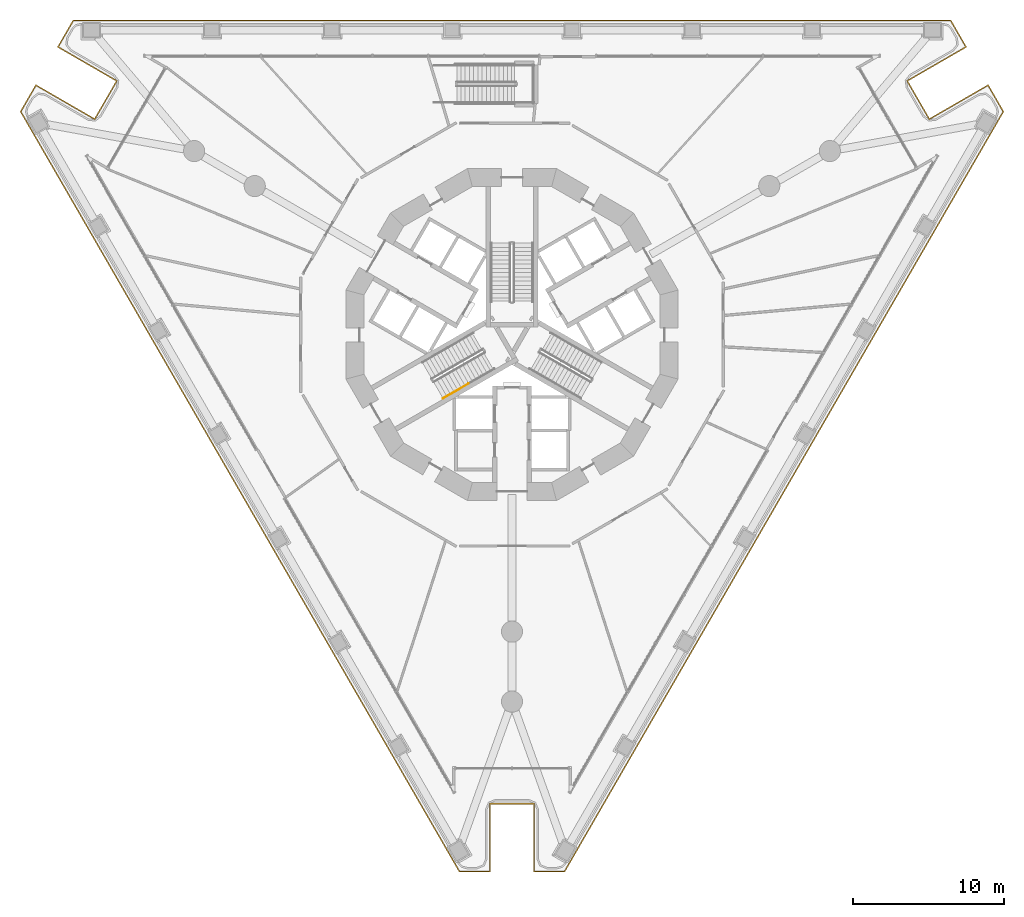
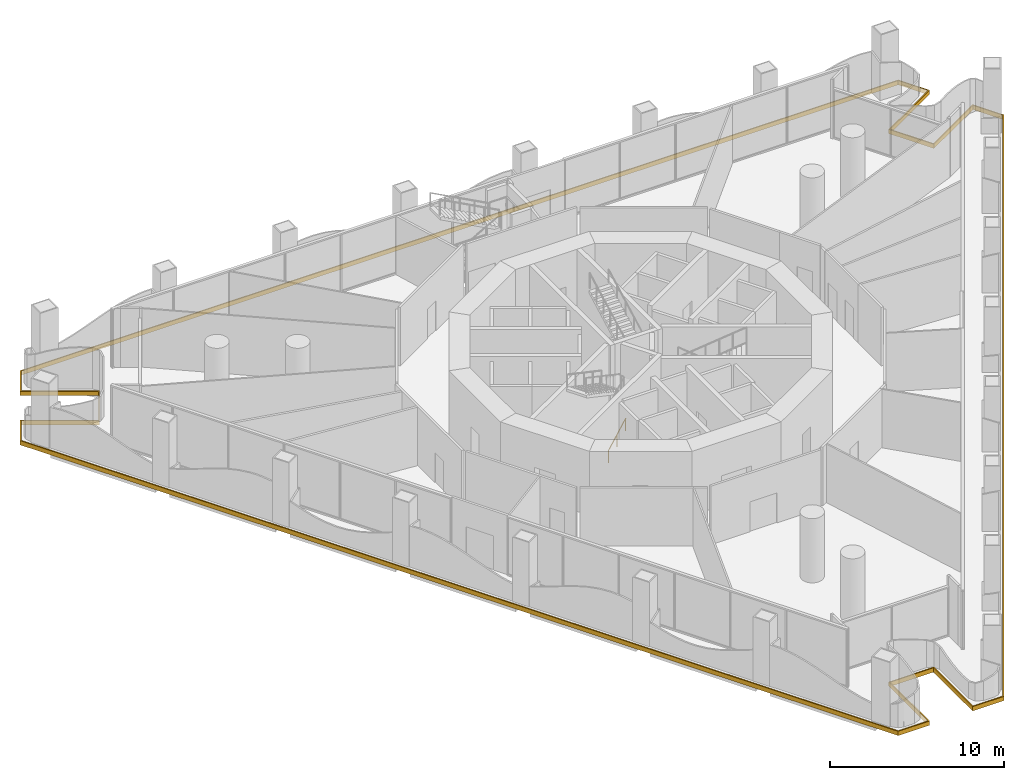
# One storey, part 15 of 21: 1 covering, 1 railing.
"""IFC4 building model written with IfcOpenShell, lengths in metres."""

from ifc_helpers import new_model, si_unit, direction, frame, origin, origin_2d, place, context, subcontext, project, spatial, polyline, circle, outline, extrude, material, layer, layer_set, type_object, element, save


model = new_model("IFC4")

# Units and contexts
model_context = context("Model", 3, precision=1e-05, world=origin(), true_north=direction((0.0, 1.0)))
body_context = subcontext(model_context, "Body", "Model", "MODEL_VIEW")
ifc_project = project(units=[si_unit("LENGTHUNIT", "METRE"), si_unit("AREAUNIT", "SQUARE_METRE"), si_unit("VOLUMEUNIT", "CUBIC_METRE"), si_unit("PLANEANGLEUNIT", "RADIAN"), si_unit("MASSUNIT", "GRAM", prefix="KILO")], contexts=[model_context])

# Site, building, storey
site_placement = place(None, origin())
site = spatial("IfcSite", under=ifc_project, at=site_placement, CompositionType="ELEMENT")
building_placement = place(site_placement, origin())
building = spatial("IfcBuilding", under=site, at=building_placement, Name="Trine Commons Tower", CompositionType="ELEMENT")
storey_placement = place(building_placement, frame((0.0, 0.0, 13.5)))
storey = spatial("IfcBuildingStorey", under=building, at=storey_placement, Name="L02", CompositionType="ELEMENT", Elevation=13.5)

# Covering
ifc_material_1 = material(Name="Limestone, honed", Category="masonry")
ifc_layer = layer(ifc_material_1, 0.074951171875)
ifc_layer_set = layer_set([ifc_layer], Name="Limestone, honed")
covering_type = type_object("IfcCoveringType", Name="Limestone spandrel panel 75", PredefinedType="CLADDING", material=ifc_layer_set)
covering_placement = place(storey_placement, frame((0.0, 0.0, -0.300048828125)))
element("IfcCovering", 1, at=covering_placement, inside=storey, type_object=covering_type, Name="Limestone spandrel panel 1-01", PredefinedType="CLADDING", context=body_context, shape_type="SweptSolid", body=[
    extrude(outline(polyline([(81.425048828125, 31.355712890625), (81.425048828125, 26.855712890625), (83.50732421875, 26.855712890625), (112.62255859375, 77.28466796875), (111.581298828125, 79.087890625), (107.68408203125, 76.837890625), (106.25927734375, 79.30615234375), (110.15625, 81.55615234375), (109.114990234375, 83.359619140625), (50.885009765625, 83.359619140625), (49.84375, 81.55615234375), (53.74072265625, 79.30615234375), (52.31591796875, 76.837890625), (48.418701171875, 79.087890625), (47.37744140625, 77.28466796875), (76.49267578125, 26.855712890625), (78.574951171875, 26.855712890625), (78.574951171875, 31.355712890625), (81.425048828125, 31.355712890625)]), holes=[polyline([(111.5537109375, 78.985595703125), (112.535888671875, 77.28466796875), (83.464111328125, 26.930908203125), (81.5, 26.930908203125), (81.5, 31.430908203125), (78.5, 31.430908203125), (78.5, 26.930908203125), (76.535888671875, 26.930908203125), (47.464111328125, 77.28466796875), (48.4462890625, 78.985595703125), (52.34326171875, 76.735595703125), (53.84326171875, 79.33349609375), (49.9462890625, 81.58349609375), (50.92822265625, 83.28466796875), (109.07177734375, 83.28466796875), (110.0537109375, 81.58349609375), (106.15673828125, 79.33349609375), (107.65673828125, 76.735595703125), (111.5537109375, 78.985595703125)])]), origin(), (0.0, 0.0, 1.0), 0.300048828125),
])

# Railing
ifc_material_2 = material(Name="Stainless steel handrail", Category="steel")
railing_type = type_object("IfcRailingType", Name="Stair handrail, steel 900", PredefinedType="HANDRAIL", material=ifc_material_2)
railing_placement = place(storey_placement, frame((75.43017578125, 58.27392578125, 0.14990234375)))
element("IfcRailing", 2, at=railing_placement, inside=storey, type_object=railing_type, Name="L02 ST2A stair handrail 1", PredefinedType="HANDRAIL", context=body_context, shape_type="SweptSolid", body=[
    extrude(circle(Radius=0.02099609375, at=origin_2d()), frame((0.0, 0.0, 0.87890625), z_axis=(0.763397845365, 0.440713210311, 0.472224095054), x_axis=(-0.499970440388, 0.866042469362, 0.0)), (0.0, 0.0, 1.0), 2.2236328125),
    extrude(circle(Radius=0.01513671875, at=origin_2d()), origin(), (0.0, 0.0, 1.0), 0.85791015625),
    extrude(circle(Radius=0.01513671875, at=origin_2d()), frame((0.8486328125, 0.489990234375, 0.52490234375)), (0.0, 0.0, 1.0), 0.85791015625),
    extrude(circle(Radius=0.01513671875, at=origin_2d()), frame((1.697509765625, 0.97998046875, 1.050048828125)), (0.0, 0.0, 1.0), 0.85791015625),
])

save(model, "model.ifc")
